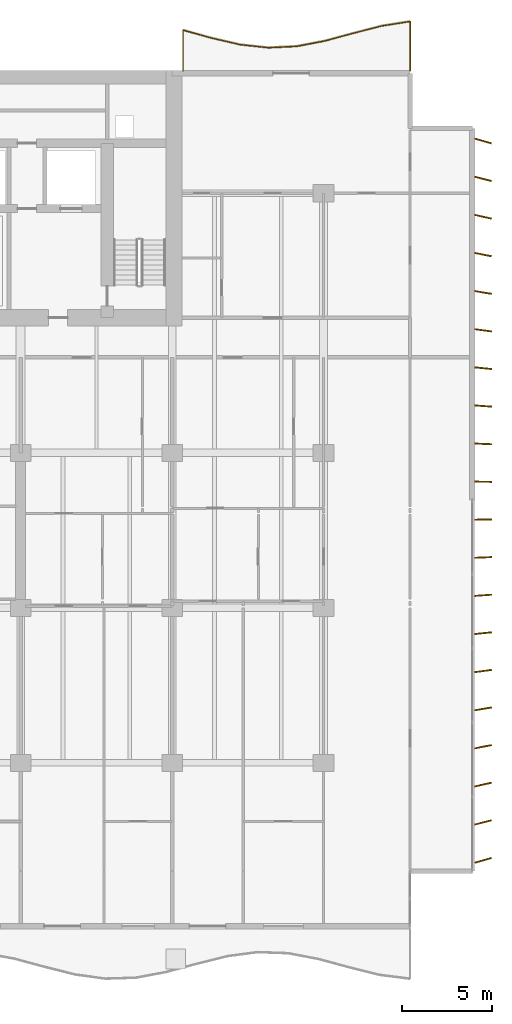
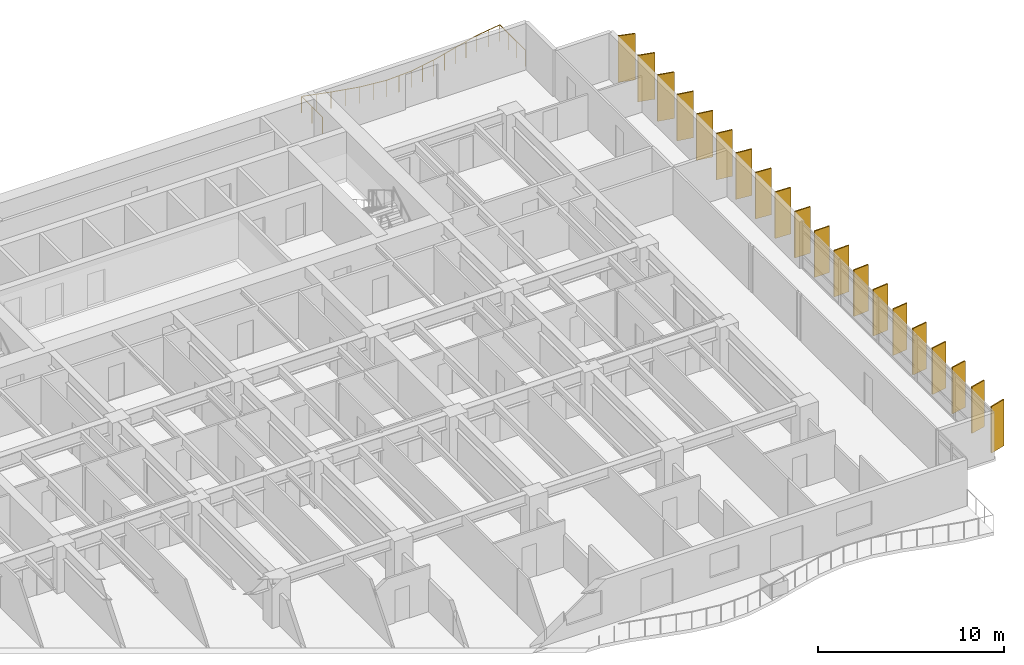
# One storey, part 18 of 18: 20 shading devices, 1 railing.
"""IFC4 building model written with IfcOpenShell, lengths in metres."""

from ifc_helpers import new_model, si_unit, direction, frame, origin, origin_2d, place, context, subcontext, project, spatial, rectangle, circle, extrude, material, material_profile, profile_set, type_object, element, save


model = new_model("IFC4")

# Units and contexts
model_context = context("Model", 3, precision=1e-05, world=origin(), true_north=direction((0.0, 1.0)))
body_context = subcontext(model_context, "Body", "Model", "MODEL_VIEW")
ifc_project = project(units=[si_unit("LENGTHUNIT", "METRE"), si_unit("AREAUNIT", "SQUARE_METRE"), si_unit("VOLUMEUNIT", "CUBIC_METRE"), si_unit("PLANEANGLEUNIT", "RADIAN"), si_unit("MASSUNIT", "GRAM", prefix="KILO")], contexts=[model_context])

# Site, building, storey
site_placement = place(None, origin())
site = spatial("IfcSite", under=ifc_project, at=site_placement, CompositionType="ELEMENT")
building_placement = place(site_placement, origin())
building = spatial("IfcBuilding", under=site, at=building_placement, Name="Caelmar Bay Residences", CompositionType="ELEMENT")
storey_placement = place(building_placement, frame((0.0, 0.0, 69.60009765625)))
storey = spatial("IfcBuildingStorey", under=building, at=storey_placement, Name="L18", CompositionType="ELEMENT", Elevation=69.60009765625)

# Railing
ifc_material_1 = material(Name="Anodised bronze handrail with laminated hurricane glass infill", Category="glass")
railing_type = type_object("IfcRailingType", Name="RL-BAL-1100", PredefinedType="BALUSTRADE", material=ifc_material_1)
railing_placement = place(storey_placement, frame((72.699951171875, 50.60009765625, 0.0)))
element("IfcRailing", 1, at=railing_placement, inside=storey, type_object=railing_type, Name="L18 north_east Balcony Balustrade", PredefinedType="BALUSTRADE", context=body_context, shape_type="SweptSolid", body=[
    extrude(circle(Radius=0.02392578125, at=origin_2d()), frame((0.0, 0.0, 1.076171875), z_axis=(0.0, 1.0, 0.0), x_axis=(-1.0, 0.0, 0.0)), (0.0, 0.0, 1.0), 2.733154296875),
    extrude(circle(Radius=0.02392578125, at=origin_2d()), frame((0.0, 2.733154296875, 1.076171875), z_axis=(-0.98772942327, -0.156174858431, 0.0), x_axis=(0.156174858431, -0.98772942327, 0.0)), (0.0, 0.0, 1.0), 1.594482421875),
    extrude(circle(Radius=0.02392578125, at=origin_2d()), frame((-1.574951171875, 2.484130859375, 1.076171875), z_axis=(-0.968414261795, -0.249346781715, 0.0), x_axis=(0.249346781715, -0.968414261795, 0.0)), (0.0, 0.0, 1.0), 1.626220703125),
    extrude(circle(Radius=0.02392578125, at=origin_2d()), frame((-3.14990234375, 2.07861328125, 1.076171875), z_axis=(-0.965420419953, -0.260697933895, 0.0), x_axis=(0.260697933895, -0.965420419953, 0.0)), (0.0, 0.0, 1.0), 1.63134765625),
    extrude(circle(Radius=0.02392578125, at=origin_2d()), frame((-4.724853515625, 1.6533203125, 1.076171875), z_axis=(-0.982140830907, -0.18814725155, 0.0), x_axis=(0.18814725155, -0.982140830907, 0.0)), (0.0, 0.0, 1.0), 1.603759765625),
    extrude(circle(Radius=0.02392578125, at=origin_2d()), frame((-6.300048828125, 1.3515625, 1.076171875), z_axis=(-0.998824997948, -0.048462598722, 0.0), x_axis=(0.048462598722, -0.998824997948, 0.0)), (0.0, 0.0, 1.0), 1.576904296875),
    extrude(circle(Radius=0.02392578125, at=origin_2d()), frame((-7.875, 1.275146484375, 1.076171875), z_axis=(-0.993913760533, 0.110160957802, 0.0), x_axis=(-0.110160957802, -0.993913760533, 0.0)), (0.0, 0.0, 1.0), 1.584716796875),
    extrude(circle(Radius=0.02392578125, at=origin_2d()), frame((-9.449951171875, 1.44970703125, 1.076171875), z_axis=(-0.973949121844, 0.226766637887, 0.0), x_axis=(-0.226766637887, -0.973949121844, 0.0)), (0.0, 0.0, 1.0), 1.6171875),
    extrude(circle(Radius=0.02392578125, at=origin_2d()), frame((-11.02490234375, 1.81640625, 1.076171875), z_axis=(-0.963861744869, 0.266402959402, 0.0), x_axis=(-0.266402959402, -0.963861744869, 0.0)), (0.0, 0.0, 1.0), 1.634033203125),
    extrude(circle(Radius=0.02392578125, at=origin_2d()), frame((-12.599853515625, 2.251708984375, 1.076171875), z_axis=(0.0, -1.0, 0.0), x_axis=(1.0, 0.0, 0.0)), (0.0, 0.0, 1.0), 2.251708984375),
    extrude(circle(Radius=0.02099609375, at=origin_2d()), origin(), (0.0, 0.0, 1.0), 1.052001953125),
    extrude(circle(Radius=0.02099609375, at=origin_2d()), frame((0.0, 0.9111328125, 0.0)), (0.0, 0.0, 1.0), 1.052001953125),
    extrude(circle(Radius=0.02099609375, at=origin_2d()), frame((0.0, 1.822021484375, 0.0)), (0.0, 0.0, 1.0), 1.052001953125),
    extrude(circle(Radius=0.02099609375, at=origin_2d()), frame((0.0, 2.733154296875, 0.0)), (0.0, 0.0, 1.0), 1.052001953125),
    extrude(circle(Radius=0.02099609375, at=origin_2d()), frame((-0.78759765625, 2.608642578125, 0.0)), (0.0, 0.0, 1.0), 1.052001953125),
    extrude(circle(Radius=0.02099609375, at=origin_2d()), frame((-1.574951171875, 2.484130859375, 0.0)), (0.0, 0.0, 1.0), 1.052001953125),
    extrude(circle(Radius=0.02099609375, at=origin_2d()), frame((-2.3623046875, 2.28125, 0.0)), (0.0, 0.0, 1.0), 1.052001953125),
    extrude(circle(Radius=0.02099609375, at=origin_2d()), frame((-3.14990234375, 2.07861328125, 0.0)), (0.0, 0.0, 1.0), 1.052001953125),
    extrude(circle(Radius=0.02099609375, at=origin_2d()), frame((-3.9375, 1.865966796875, 0.0)), (0.0, 0.0, 1.0), 1.052001953125),
    extrude(circle(Radius=0.02099609375, at=origin_2d()), frame((-4.724853515625, 1.6533203125, 0.0)), (0.0, 0.0, 1.0), 1.052001953125),
    extrude(circle(Radius=0.02099609375, at=origin_2d()), frame((-5.512451171875, 1.50244140625, 0.0)), (0.0, 0.0, 1.0), 1.052001953125),
    extrude(circle(Radius=0.02099609375, at=origin_2d()), frame((-6.300048828125, 1.3515625, 0.0)), (0.0, 0.0, 1.0), 1.052001953125),
    extrude(circle(Radius=0.02099609375, at=origin_2d()), frame((-7.08740234375, 1.3134765625, 0.0)), (0.0, 0.0, 1.0), 1.052001953125),
    extrude(circle(Radius=0.02099609375, at=origin_2d()), frame((-7.875, 1.275146484375, 0.0)), (0.0, 0.0, 1.0), 1.052001953125),
    extrude(circle(Radius=0.02099609375, at=origin_2d()), frame((-8.66259765625, 1.3623046875, 0.0)), (0.0, 0.0, 1.0), 1.052001953125),
    extrude(circle(Radius=0.02099609375, at=origin_2d()), frame((-9.449951171875, 1.44970703125, 0.0)), (0.0, 0.0, 1.0), 1.052001953125),
    extrude(circle(Radius=0.02099609375, at=origin_2d()), frame((-10.2373046875, 1.633056640625, 0.0)), (0.0, 0.0, 1.0), 1.052001953125),
    extrude(circle(Radius=0.02099609375, at=origin_2d()), frame((-11.02490234375, 1.81640625, 0.0)), (0.0, 0.0, 1.0), 1.052001953125),
    extrude(circle(Radius=0.02099609375, at=origin_2d()), frame((-11.8125, 2.0341796875, 0.0)), (0.0, 0.0, 1.0), 1.052001953125),
    extrude(circle(Radius=0.02099609375, at=origin_2d()), frame((-12.599853515625, 2.251708984375, 0.0)), (0.0, 0.0, 1.0), 1.052001953125),
    extrude(circle(Radius=0.02099609375, at=origin_2d()), frame((-12.599853515625, 1.1259765625, 0.0)), (0.0, 0.0, 1.0), 1.052001953125),
    extrude(circle(Radius=0.02099609375, at=origin_2d()), frame((-12.599853515625, 0.0, 0.0)), (0.0, 0.0, 1.0), 1.052001953125),
])

# Shading devices
ifc_material_2 = material(Name="Anodised architectural bronze aluminium 6063-T6", Category="aluminium")
ifc_material_profile = material_profile(ifc_material_2, rectangle(XDim=0.074951171875, YDim=0.949951171875, at=origin_2d()), Name="BRONZE-FIN-75X950")
ifc_profile_set = profile_set([ifc_material_profile], Name="Anodised architectural bronze aluminium 6063-T6")
shading_device_type = type_object("IfcShadingDeviceType", Name="SHD-FIN-950", PredefinedType="USERDEFINED", material=ifc_profile_set)
for number, where, z_axis, x_axis, name in (
    (2, (76.75, 6.800048828125, 0.0), (0.0, 0.0, 1.0), (-0.275637355817, 0.961261695938, 0.0), "L18 East Bronze Solar Fin 1"),
    (3, (76.75, 8.89990234375, 0.0), (0.0, 0.0, 1.0), (-0.247337247968, 0.968929453452, 0.0), "L18 East Bronze Solar Fin 2"),
    (4, (76.75, 11.0, 0.0), (0.0, 0.0, 1.0), (-0.218654200292, 0.975802408633, 0.0), "L18 East Bronze Solar Fin 3"),
    (5, (76.75, 13.10009765625, 0.0), (0.0, 0.0, 1.0), (-0.189952291512, 0.981793321911, 0.0), "L18 East Bronze Solar Fin 4"),
    (6, (76.75, 15.199951171875, 0.0), (0.0, 0.0, 1.0), (-0.160914826518, 0.986968296657, 0.0), "L18 East Bronze Solar Fin 5"),
    (7, (76.75, 17.300048828125, 0.0), (0.0, 0.0, 1.0), (-0.131910382711, 0.991261646052, 0.0), "L18 East Bronze Solar Fin 6"),
    (8, (76.75, 19.39990234375, 0.0), (0.0, 0.0, 1.0), (-0.10261892683, 0.994720742649, 0.0), "L18 East Bronze Solar Fin 7"),
    (9, (76.75, 21.5, 0.0), (0.0, 0.0, 1.0), (-0.073412260224, 0.997301679558, 0.0), "L18 East Bronze Solar Fin 8"),
    (10, (76.75, 23.60009765625, 0.0), (0.0, 0.0, 1.0), (-0.044142481788, 0.999025245578, 0.0), "L18 East Bronze Solar Fin 9"),
    (11, (76.75, 25.699951171875, 0.0), (0.0, 0.0, 1.0), (-0.01466024053, 0.999892532899, 0.0), "L18 East Bronze Solar Fin 10"),
    (12, (76.75, 27.800048828125, 0.0), (0.0, 0.0, 1.0), (0.01466024053, 0.999892532899, 0.0), "L18 East Bronze Solar Fin 11"),
    (13, (76.75, 29.89990234375, 0.0), (0.0, 0.0, 1.0), (0.044142481788, 0.999025245578, 0.0), "L18 East Bronze Solar Fin 12"),
    (14, (76.75, 32.0, 0.0), (0.0, 0.0, 1.0), (0.073412260224, 0.997301679558, 0.0), "L18 East Bronze Solar Fin 13"),
    (15, (76.75, 34.10009765625, 0.0), (0.0, 0.0, 1.0), (0.10261892683, 0.994720742649, 0.0), "L18 East Bronze Solar Fin 14"),
    (16, (76.75, 36.199951171875, 0.0), (0.0, 0.0, 1.0), (0.131910382711, 0.991261646052, 0.0), "L18 East Bronze Solar Fin 15"),
    (17, (76.75, 38.300048828125, 0.0), (0.0, 0.0, 1.0), (0.160914826518, 0.986968296657, 0.0), "L18 East Bronze Solar Fin 16"),
    (18, (76.75, 40.39990234375, 0.0), (0.0, 0.0, 1.0), (0.189952291512, 0.981793321911, 0.0), "L18 East Bronze Solar Fin 17"),
    (19, (76.75, 42.5, 0.0), (0.0, 0.0, 1.0), (0.218654200292, 0.975802408633, 0.0), "L18 East Bronze Solar Fin 18"),
    (20, (76.75, 44.60009765625, 0.0), (0.0, 0.0, 1.0), (0.247337247968, 0.968929453452, 0.0), "L18 East Bronze Solar Fin 19"),
    (21, (76.75, 46.699951171875, 0.0), (0.0, 0.0, 1.0), (0.275637355817, 0.961261695938, 0.0), "L18 East Bronze Solar Fin 20"),
):
    element("IfcShadingDevice", number, at=place(storey_placement, frame(where, z_axis=z_axis, x_axis=x_axis)), inside=storey, type_object=shading_device_type, Name=name, ObjectType="FIN", PredefinedType="USERDEFINED", context=body_context, shape_type="SweptSolid", body=[
        extrude(rectangle(XDim=0.074951171875, YDim=0.949951171875, at=origin_2d()), origin(), (0.0, 0.0, 1.0), 3.0498046875),
    ])

save(model, "model.ifc")
